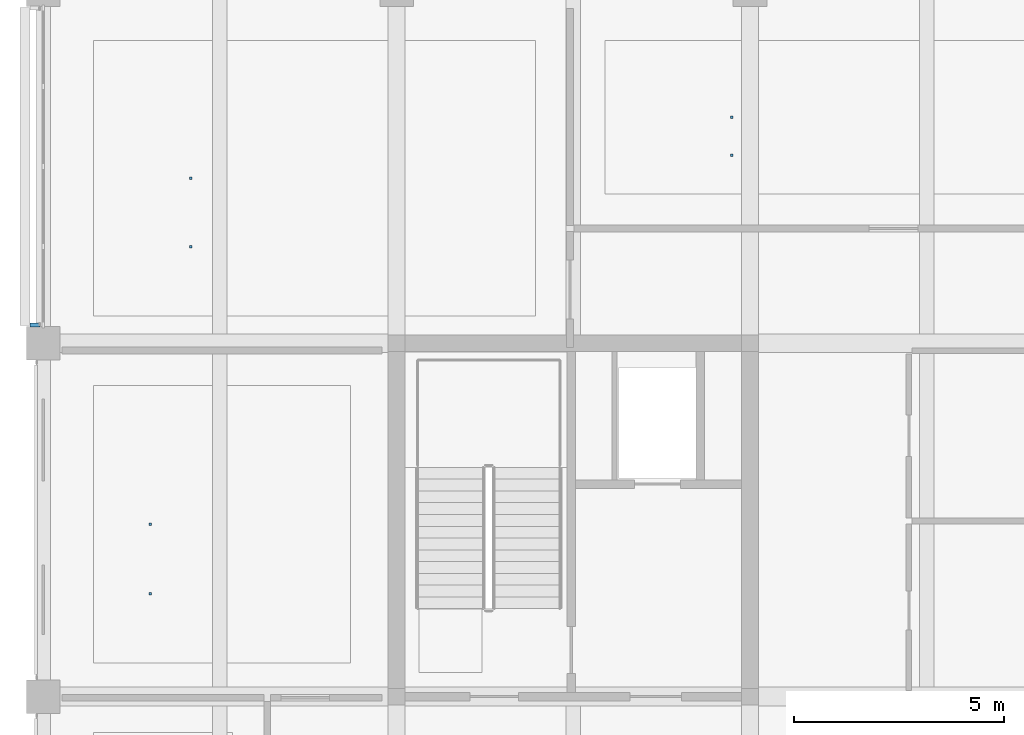
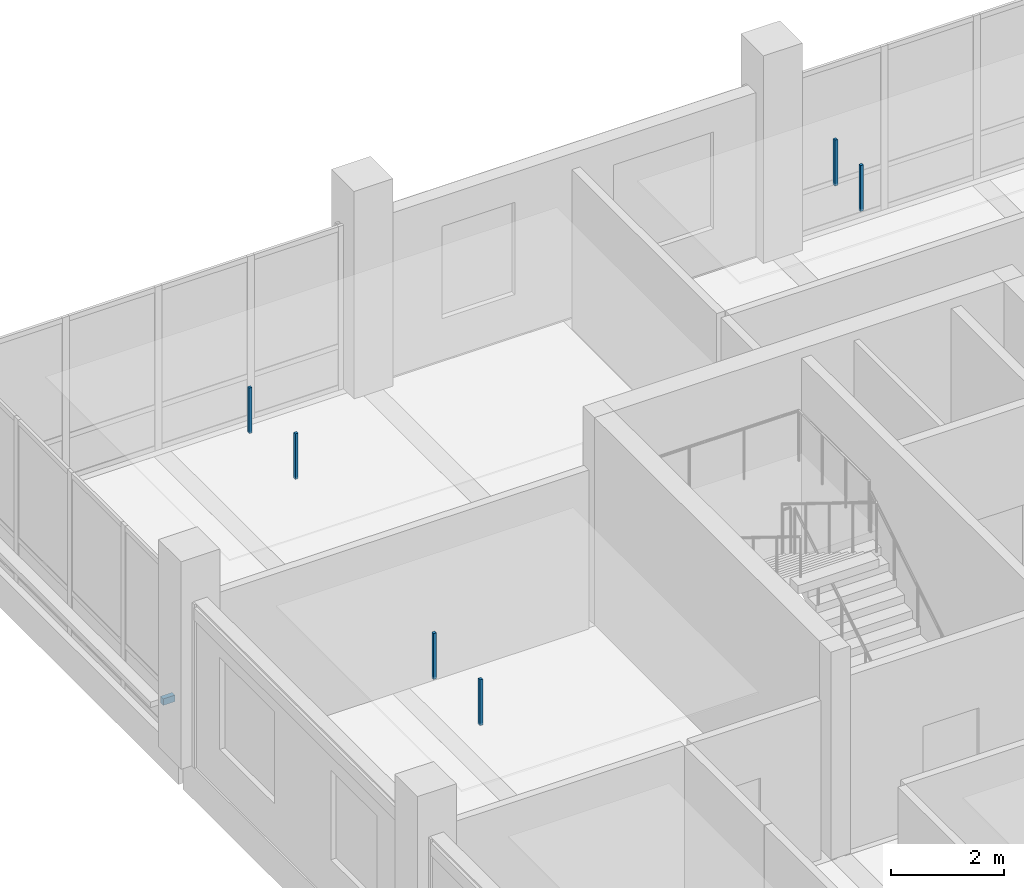
# One storey, part 17 of 34: 7 discrete accessories.
"""IFC4 building model written with IfcOpenShell, lengths in metres."""

from ifc_helpers import new_model, si_unit, direction, frame, origin, origin_2d, place, context, subcontext, project, spatial, rectangle, extrude, material, type_object, element, save


model = new_model("IFC4")

# Units and contexts
model_context = context("Model", 3, precision=1e-05, world=origin(), true_north=direction((0.0, 1.0)))
body_context = subcontext(model_context, "Body", "Model", "MODEL_VIEW")
ifc_project = project(units=[si_unit("LENGTHUNIT", "METRE"), si_unit("AREAUNIT", "SQUARE_METRE"), si_unit("VOLUMEUNIT", "CUBIC_METRE"), si_unit("PLANEANGLEUNIT", "RADIAN"), si_unit("MASSUNIT", "GRAM", prefix="KILO")], contexts=[model_context])

# Site, building, storey
site_placement = place(None, origin())
site = spatial("IfcSite", under=ifc_project, at=site_placement, CompositionType="ELEMENT")
building_placement = place(site_placement, origin())
building = spatial("IfcBuilding", under=site, at=building_placement, Name="Telukmera Botanical Conservatory", CompositionType="ELEMENT")
storey_placement = place(building_placement, frame((0.0, 0.0, 37.5)))
storey = spatial("IfcBuildingStorey", under=building, at=storey_placement, Name="L08", CompositionType="ELEMENT", Elevation=37.5)

# Discrete accessories
ifc_material = material(Name="Steel S355", Category="steel")
discrete_accessory_type_1 = type_object("IfcDiscreteAccessoryType", Name="ACC-CEIL-HGR", PredefinedType="BRACKET", material=ifc_material)
for number, where, z_axis, x_axis, name in (
    (1, (52.94189453125, 28.449951171875, 3.31005859375), (0.0, 0.0, 1.0), (1.0, 0.0, 0.0), "L08 Suspended Ceiling Hanger Rod 018-1"),
    (2, (52.94189453125, 30.10009765625, 3.31005859375), (0.0, 0.0, 1.0), (1.0, 0.0, 0.0), "L08 Suspended Ceiling Hanger Rod 018-2"),
):
    element("IfcDiscreteAccessory", number, at=place(storey_placement, frame(where, z_axis=z_axis, x_axis=x_axis)), inside=storey, type_object=discrete_accessory_type_1, Name=name, PredefinedType="BRACKET", context=body_context, shape_type="SweptSolid", body=[
        extrude(rectangle(XDim=0.06005859375, YDim=0.06005859375, at=origin_2d()), origin(), (0.0, 0.0, 1.0), 0.9951171875),
    ])
for number, where, z_axis, x_axis, name in (
    (3, (53.909912109375, 36.6875, 3.31982421875), (0.0, 0.0, 1.0), (1.0, 0.0, 0.0), "L08 Suspended Ceiling Hanger Rod 033-1"),
    (4, (53.909912109375, 38.324951171875, 3.31982421875), (0.0, 0.0, 1.0), (1.0, 0.0, 0.0), "L08 Suspended Ceiling Hanger Rod 033-2"),
):
    element("IfcDiscreteAccessory", number, at=place(storey_placement, frame(where, z_axis=z_axis, x_axis=x_axis)), inside=storey, type_object=discrete_accessory_type_1, Name=name, PredefinedType="BRACKET", context=body_context, shape_type="SweptSolid", body=[
        extrude(rectangle(XDim=0.06005859375, YDim=0.06005859375, at=origin_2d()), origin(), (0.0, 0.0, 1.0), 0.985107421875),
    ])
for number, where, z_axis, x_axis, name in (
    (5, (66.763916015625, 38.862548828125, 3.31005859375), (0.0, 0.0, 1.0), (1.0, 0.0, 0.0), "L08 Suspended Ceiling Hanger Rod 034-1"),
    (6, (66.763916015625, 39.77490234375, 3.31005859375), (0.0, 0.0, 1.0), (1.0, 0.0, 0.0), "L08 Suspended Ceiling Hanger Rod 034-2"),
):
    element("IfcDiscreteAccessory", number, at=place(storey_placement, frame(where, z_axis=z_axis, x_axis=x_axis)), inside=storey, type_object=discrete_accessory_type_1, Name=name, PredefinedType="BRACKET", context=body_context, shape_type="SweptSolid", body=[
        extrude(rectangle(XDim=0.06005859375, YDim=0.06005859375, at=origin_2d()), origin(), (0.0, 0.0, 1.0), 0.9951171875),
    ])
discrete_accessory_type_2 = type_object("IfcDiscreteAccessoryType", Name="Structural Steel Facade Outrigger Fin Bracket", PredefinedType="BRACKET", material=ifc_material)
discrete_accessory_placement = place(storey_placement, frame((50.2099609375, 34.83203125, 0.8798828125), z_axis=(0.0, 0.0, 1.0), x_axis=(0.0, 1.0, 0.0)))
element("IfcDiscreteAccessory", 7, at=discrete_accessory_placement, inside=storey, type_object=discrete_accessory_type_2, Name="Facade Outrigger Bracket V4:L08:W4 A", PredefinedType="BRACKET", context=body_context, shape_type="SweptSolid", body=[
    extrude(rectangle(XDim=0.10009765625, YDim=0.239990234375, at=origin_2d()), origin(), (0.0, 0.0, 1.0), 0.139892578125),
])

save(model, "model.ifc")
